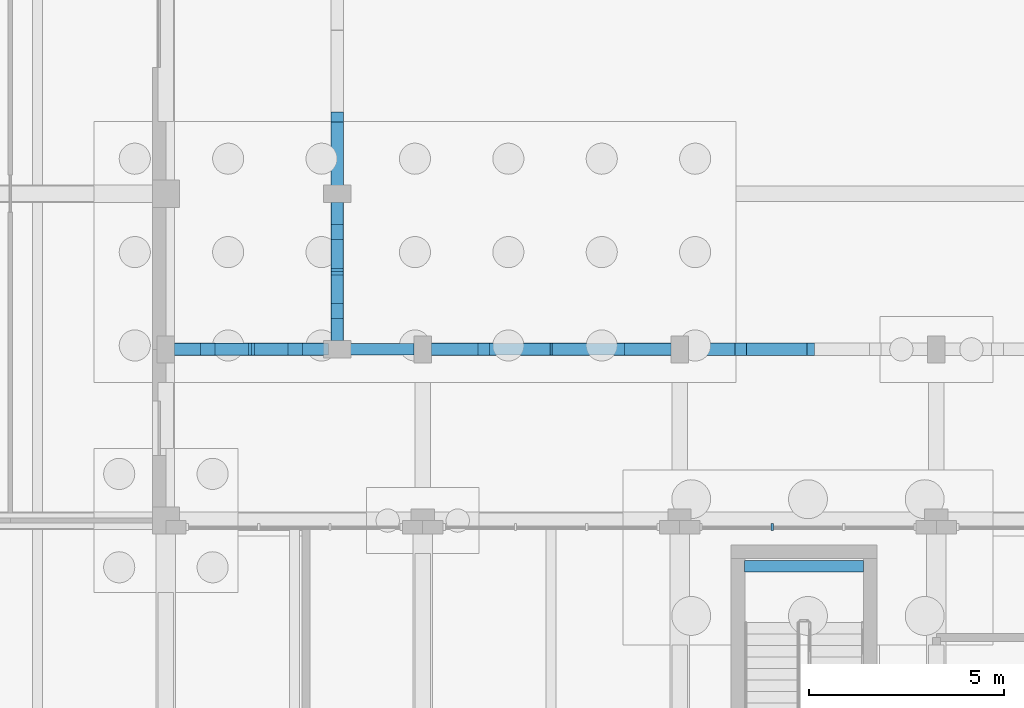
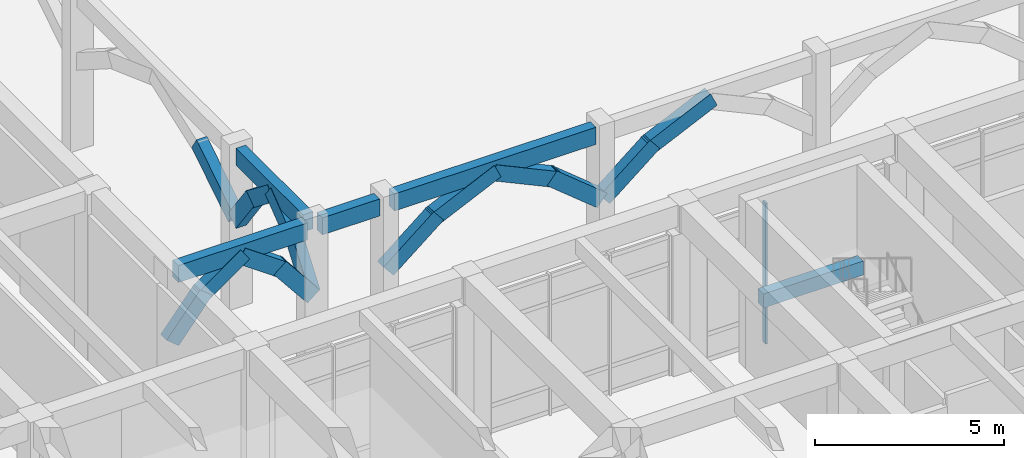
# One storey, part 27 of 82: 16 members, 5 beams, 1 element without a shape of its own.
"""IFC4 building model written with IfcOpenShell, lengths in metres."""

from ifc_helpers import new_model, si_unit, direction, frame, origin, origin_2d, place, context, subcontext, project, spatial, rectangle, extrude, material, layer, layer_set, material_profile, profile_set, type_object, element, aggregate, save


model = new_model("IFC4")

# Units and contexts
model_context = context("Model", 3, precision=1e-05, world=origin(), true_north=direction((0.0, 1.0)))
body_context = subcontext(model_context, "Body", "Model", "MODEL_VIEW")
ifc_project = project(units=[si_unit("LENGTHUNIT", "METRE"), si_unit("AREAUNIT", "SQUARE_METRE"), si_unit("VOLUMEUNIT", "CUBIC_METRE"), si_unit("PLANEANGLEUNIT", "RADIAN"), si_unit("MASSUNIT", "GRAM", prefix="KILO")], contexts=[model_context])

# Site, building, storey
site_placement = place(None, origin())
site = spatial("IfcSite", under=ifc_project, at=site_placement, CompositionType="ELEMENT")
building_placement = place(site_placement, origin())
building = spatial("IfcBuilding", under=site, at=building_placement, Name="Kolvaren Faculty of Natural Sciences", CompositionType="ELEMENT")
storey_placement = place(building_placement, origin())
storey = spatial("IfcBuildingStorey", under=building, at=storey_placement, Name="L00", CompositionType="ELEMENT", Elevation=0.0)

# Beam
ifc_material_1 = material(Name="Concrete C40/50", Category="concrete")
ifc_material_profile_1 = material_profile(ifc_material_1, rectangle(XDim=0.300048828125, YDim=0.449951171875, at=origin_2d()), Name="RC LNT 300x450")
ifc_profile_set_1 = profile_set([ifc_material_profile_1], Name="Concrete C40/50")
beam_type_1 = type_object("IfcBeamType", Name="CoreCouplingLintel_300x450", PredefinedType="LINTEL", material=ifc_profile_set_1)
beam_1_placement = place(storey_placement, frame((61.27490234375, 83.030029296875, 2.27490234375), z_axis=(1.0, 0.0, 0.0), x_axis=(0.0, 1.0, 0.0)))
element("IfcBeam", 1, at=beam_1_placement, inside=storey, type_object=beam_type_1, Name="L00 ST-6 half-landing support lintel", PredefinedType="LINTEL", context=body_context, shape_type="SweptSolid", body=[
    extrude(rectangle(XDim=0.300048828125, YDim=0.449951171875, at=origin_2d()), origin(), (0.0, 0.0, 1.0), 3.050048828125),
])

# Curtain wall, member
ifc_material_2 = material(Name="Thermally broken anodised aluminium framing", Category="aluminium")
ifc_layer = layer(ifc_material_2, 0.179931640625)
ifc_layer_set = layer_set([ifc_layer], Name="Thermally broken anodised aluminium framing")
curtain_wall_type = type_object("IfcCurtainWallType", Name="AtriumCurtainWall_CW01", PredefinedType="NOTDEFINED", material=ifc_layer_set)
curtain_wall_placement = place(storey_placement, origin())
curtain_wall = element("IfcCurtainWall", 2, at=curtain_wall_placement, inside=storey, type_object=curtain_wall_type, Name="L00 unitised curtain wall CW-01 (CW-L00-009)", PredefinedType="NOTDEFINED")
ifc_material_profile_2 = material_profile(ifc_material_2, rectangle(XDim=0.06005859375, YDim=0.179931640625, at=origin_2d()), Name="ALU MUL 60x180")
ifc_profile_set_2 = profile_set([ifc_material_profile_2], Name="Thermally broken anodised aluminium framing")
member_type_1 = type_object("IfcMemberType", Name="CurtainMullion_60x180", PredefinedType="MULLION", material=ifc_profile_set_2)
member_1_placement = place(storey_placement, frame((61.9833984375, 84.030029296875, 0.0), z_axis=(0.0, 0.0, 1.0), x_axis=(1.0, 0.0, 0.0)))
member_1 = element("IfcMember", 3, at=member_1_placement, type_object=member_type_1, Name="CW-L00-009 vertical mullion 2", PredefinedType="MULLION", context=body_context, shape_type="SweptSolid", body=[
    extrude(rectangle(XDim=0.06005859375, YDim=0.179931640625, at=origin_2d()), origin(), (0.0, 0.0, 1.0), 4.534912109375),
])
aggregate(curtain_wall, [member_1])

# Members
ifc_material_3 = material(Name="Precast concrete C35/45", Category="concrete")
ifc_material_profile_3 = material_profile(ifc_material_3, rectangle(XDim=0.320068359375, YDim=0.47998046875, at=origin_2d()), Name="RC ARCH 320x480")
ifc_profile_set_3 = profile_set([ifc_material_profile_3], Name="Precast concrete C35/45")
member_type_2 = type_object("IfcMemberType", Name="MughalPointedArchRib_320x480", PredefinedType="CHORD", material=ifc_profile_set_3)
member_2_placement = place(storey_placement, frame((46.44970703125, 88.60009765625, 2.73779296875), z_axis=(0.6269519024, 0.0, 0.779057964517), x_axis=(0.0, 1.0, 0.0)))
element("IfcMember", 4, at=member_2_placement, inside=storey, type_object=member_type_2, Name="Pointed Mughal arch rib ARW-S-464 segment 1", PredefinedType="CHORD", context=body_context, shape_type="SweptSolid", body=[
    extrude(rectangle(XDim=0.320068359375, YDim=0.47998046875, at=origin_2d()), origin(), (0.0, 0.0, 1.0), 1.634033203125),
])
for number, where, z_axis, x_axis, name in (
    (5, (47.358642578125, 88.60009765625, 3.902099609375), (0.81645598323, 0.0, 0.577407678723), (0.0, 1.0, 0.0), "Pointed Mughal arch rib ARW-S-464 segment 2"),
    (6, (48.53466796875, 88.60009765625, 4.826171875), (0.81645598323, 0.0, -0.577407678723), (0.0, 1.0, 0.0), "Pointed Mughal arch rib ARW-S-464 segment 3"),
):
    element("IfcMember", number, at=place(storey_placement, frame(where, z_axis=z_axis, x_axis=x_axis)), inside=storey, type_object=member_type_2, Name=name, PredefinedType="CHORD", context=body_context, shape_type="SweptSolid", body=[
        extrude(rectangle(XDim=0.320068359375, YDim=0.47998046875, at=origin_2d()), origin(), (0.0, 0.0, 1.0), 1.600341796875),
    ])
member_3_placement = place(storey_placement, frame((49.725830078125, 88.60009765625, 4.0107421875), z_axis=(0.6269519024, 0.0, -0.779057964517), x_axis=(0.0, 1.0, 0.0)))
element("IfcMember", 7, at=member_3_placement, inside=storey, type_object=member_type_2, Name="Pointed Mughal arch rib ARW-S-464 segment 4", PredefinedType="CHORD", context=body_context, shape_type="SweptSolid", body=[
    extrude(rectangle(XDim=0.320068359375, YDim=0.47998046875, at=origin_2d()), origin(), (0.0, 0.0, 1.0), 1.634033203125),
])
member_4_placement = place(storey_placement, frame((53.0380859375, 88.60009765625, 2.74951171875), z_axis=(0.774930281496, 0.0, 0.632046722023), x_axis=(0.0, 1.0, 0.0)))
element("IfcMember", 8, at=member_4_placement, inside=storey, type_object=member_type_2, Name="Pointed Mughal arch rib ARW-S-530 segment 1", PredefinedType="CHORD", context=body_context, shape_type="SweptSolid", body=[
    extrude(rectangle(XDim=0.320068359375, YDim=0.47998046875, at=origin_2d()), origin(), (0.0, 0.0, 1.0), 1.97705078125),
])
for number, where, z_axis, x_axis, name in (
    (9, (54.435302734375, 88.60009765625, 3.914794921875), (0.907100951043, 0.0, 0.420913131914), (0.0, 1.0, 0.0), "Pointed Mughal arch rib ARW-S-530 segment 2"),
    (10, (56.227294921875, 88.60009765625, 4.813720703125), (0.907100951043, 0.0, -0.420913131914), (0.0, 1.0, 0.0), "Pointed Mughal arch rib ARW-S-530 segment 3"),
):
    element("IfcMember", number, at=place(storey_placement, frame(where, z_axis=z_axis, x_axis=x_axis)), inside=storey, type_object=member_type_2, Name=name, PredefinedType="CHORD", context=body_context, shape_type="SweptSolid", body=[
        extrude(rectangle(XDim=0.320068359375, YDim=0.47998046875, at=origin_2d()), origin(), (0.0, 0.0, 1.0), 2.1357421875),
    ])
for number, where, z_axis, x_axis, name in (
    (11, (58.030029296875, 88.60009765625, 3.9990234375), (0.774930281496, 0.0, -0.632046722023), (0.0, 1.0, 0.0), "Pointed Mughal arch rib ARW-S-530 segment 4"),
    (12, (59.637939453125, 88.60009765625, 2.74951171875), (0.774930281496, 0.0, 0.632046722023), (0.0, 1.0, 0.0), "Pointed Mughal arch rib ARW-S-596 segment 1"),
):
    element("IfcMember", number, at=place(storey_placement, frame(where, z_axis=z_axis, x_axis=x_axis)), inside=storey, type_object=member_type_2, Name=name, PredefinedType="CHORD", context=body_context, shape_type="SweptSolid", body=[
        extrude(rectangle(XDim=0.320068359375, YDim=0.47998046875, at=origin_2d()), origin(), (0.0, 0.0, 1.0), 1.97705078125),
    ])
member_5_placement = place(storey_placement, frame((61.035400390625, 88.60009765625, 3.914794921875), z_axis=(0.907100951043, 0.0, 0.420913131914), x_axis=(0.0, 1.0, 0.0)))
element("IfcMember", 13, at=member_5_placement, inside=storey, type_object=member_type_2, Name="Pointed Mughal arch rib ARW-S-596 segment 2", PredefinedType="CHORD", context=body_context, shape_type="SweptSolid", body=[
    extrude(rectangle(XDim=0.320068359375, YDim=0.47998046875, at=origin_2d()), origin(), (0.0, 0.0, 1.0), 2.1357421875),
])
member_6_placement = place(storey_placement, frame((50.800048828125, 88.65283203125, 2.7353515625), z_axis=(0.0, 0.588520655651, 0.808482181543), x_axis=(-1.0, 0.0, 0.0)))
element("IfcMember", 14, at=member_6_placement, inside=storey, type_object=member_type_2, Name="Pointed Mughal arch rib ARW-W-88 segment 1", PredefinedType="CHORD", context=body_context, shape_type="SweptSolid", body=[
    extrude(rectangle(XDim=0.320068359375, YDim=0.47998046875, at=origin_2d()), origin(), (0.0, 0.0, 1.0), 1.58056640625),
])
member_7_placement = place(storey_placement, frame((50.800048828125, 89.472900390625, 3.899169921875), z_axis=(0.0, 0.787914096483, 0.615785170789), x_axis=(-1.0, 0.0, 0.0)))
element("IfcMember", 15, at=member_7_placement, inside=storey, type_object=member_type_2, Name="Pointed Mughal arch rib ARW-W-88 segment 2", PredefinedType="CHORD", context=body_context, shape_type="SweptSolid", body=[
    extrude(rectangle(XDim=0.320068359375, YDim=0.47998046875, at=origin_2d()), origin(), (0.0, 0.0, 1.0), 1.510498046875),
])
member_8_placement = place(storey_placement, frame((50.800048828125, 90.537109375, 4.829345703125), z_axis=(0.0, 0.787852798573, -0.615863595109), x_axis=(-1.0, 0.0, 0.0)))
element("IfcMember", 16, at=member_8_placement, inside=storey, type_object=member_type_2, Name="Pointed Mughal arch rib ARW-W-88 segment 3", PredefinedType="CHORD", context=body_context, shape_type="SweptSolid", body=[
    extrude(rectangle(XDim=0.320068359375, YDim=0.47998046875, at=origin_2d()), origin(), (0.0, 0.0, 1.0), 1.51025390625),
])
member_9_placement = place(storey_placement, frame((50.800048828125, 91.616943359375, 4.01318359375), z_axis=(0.0, 0.588520655651, -0.808482181543), x_axis=(-1.0, 0.0, 0.0)))
element("IfcMember", 17, at=member_9_placement, inside=storey, type_object=member_type_2, Name="Pointed Mughal arch rib ARW-W-88 segment 4", PredefinedType="CHORD", context=body_context, shape_type="SweptSolid", body=[
    extrude(rectangle(XDim=0.320068359375, YDim=0.47998046875, at=origin_2d()), origin(), (0.0, 0.0, 1.0), 1.58056640625),
])
member_10_placement = place(storey_placement, frame((50.800048828125, 92.632568359375, 2.757080078125), z_axis=(0.0, 0.843565255236, 0.537026684774), x_axis=(-1.0, 0.0, 0.0)))
element("IfcMember", 18, at=member_10_placement, inside=storey, type_object=member_type_2, Name="Pointed Mughal arch rib ARW-W-92 segment 1", PredefinedType="CHORD", context=body_context, shape_type="SweptSolid", body=[
    extrude(rectangle(XDim=0.320068359375, YDim=0.47998046875, at=origin_2d()), origin(), (0.0, 0.0, 1.0), 2.298583984375),
])

# Beams
ifc_material_4 = material(Name="Concrete C35/45", Category="concrete")
ifc_material_profile_4 = material_profile(ifc_material_4, rectangle(XDim=0.300048828125, YDim=0.550048828125, at=origin_2d()), Name="RC SP 300x550")
ifc_profile_set_4 = profile_set([ifc_material_profile_4], Name="Concrete C35/45")
beam_type_2 = type_object("IfcBeamType", Name="PerimeterSpandrel_300x550", PredefinedType="SPANDREL", material=ifc_profile_set_4)
beam_2_placement = place(storey_placement, frame((46.625, 88.60009765625, 4.89501953125), z_axis=(1.0, 0.0, 0.0), x_axis=(0.0, 1.0, 0.0)))
element("IfcBeam", 19, at=beam_2_placement, inside=storey, type_object=beam_type_2, Name="North square riwaq arcade arch-spandrel beam", PredefinedType="SPANDREL", context=body_context, shape_type="SweptSolid", body=[
    extrude(rectangle(XDim=0.300048828125, YDim=0.550048828125, at=origin_2d()), origin(), (0.0, 0.0, 1.0), 3.949951171875),
])
beam_3_placement = place(storey_placement, frame((51.02490234375, 88.60009765625, 4.89501953125), z_axis=(1.0, 0.0, 0.0), x_axis=(0.0, 1.0, 0.0)))
element("IfcBeam", 20, at=beam_3_placement, inside=storey, type_object=beam_type_2, Name="North square riwaq arcade arch-spandrel beam", PredefinedType="SPANDREL", context=body_context, shape_type="SweptSolid", body=[
    extrude(rectangle(XDim=0.300048828125, YDim=0.550048828125, at=origin_2d()), origin(), (0.0, 0.0, 1.0), 1.75),
])
beam_4_placement = place(storey_placement, frame((53.22509765625, 88.60009765625, 4.89501953125), z_axis=(1.0, 0.0, 0.0), x_axis=(0.0, 1.0, 0.0)))
element("IfcBeam", 21, at=beam_4_placement, inside=storey, type_object=beam_type_2, Name="North square riwaq arcade arch-spandrel beam", PredefinedType="SPANDREL", context=body_context, shape_type="SweptSolid", body=[
    extrude(rectangle(XDim=0.300048828125, YDim=0.550048828125, at=origin_2d()), origin(), (0.0, 0.0, 1.0), 6.14990234375),
])
beam_5_placement = place(storey_placement, frame((50.800048828125, 88.824951171875, 4.89501953125), z_axis=(0.0, 1.0, 0.0), x_axis=(-1.0, 0.0, 0.0)))
element("IfcBeam", 22, at=beam_5_placement, inside=storey, type_object=beam_type_2, Name="North square riwaq arcade arch-spandrel beam", PredefinedType="SPANDREL", context=body_context, shape_type="SweptSolid", body=[
    extrude(rectangle(XDim=0.300048828125, YDim=0.550048828125, at=origin_2d()), origin(), (0.0, 0.0, 1.0), 3.550048828125),
])

save(model, "model.ifc")
